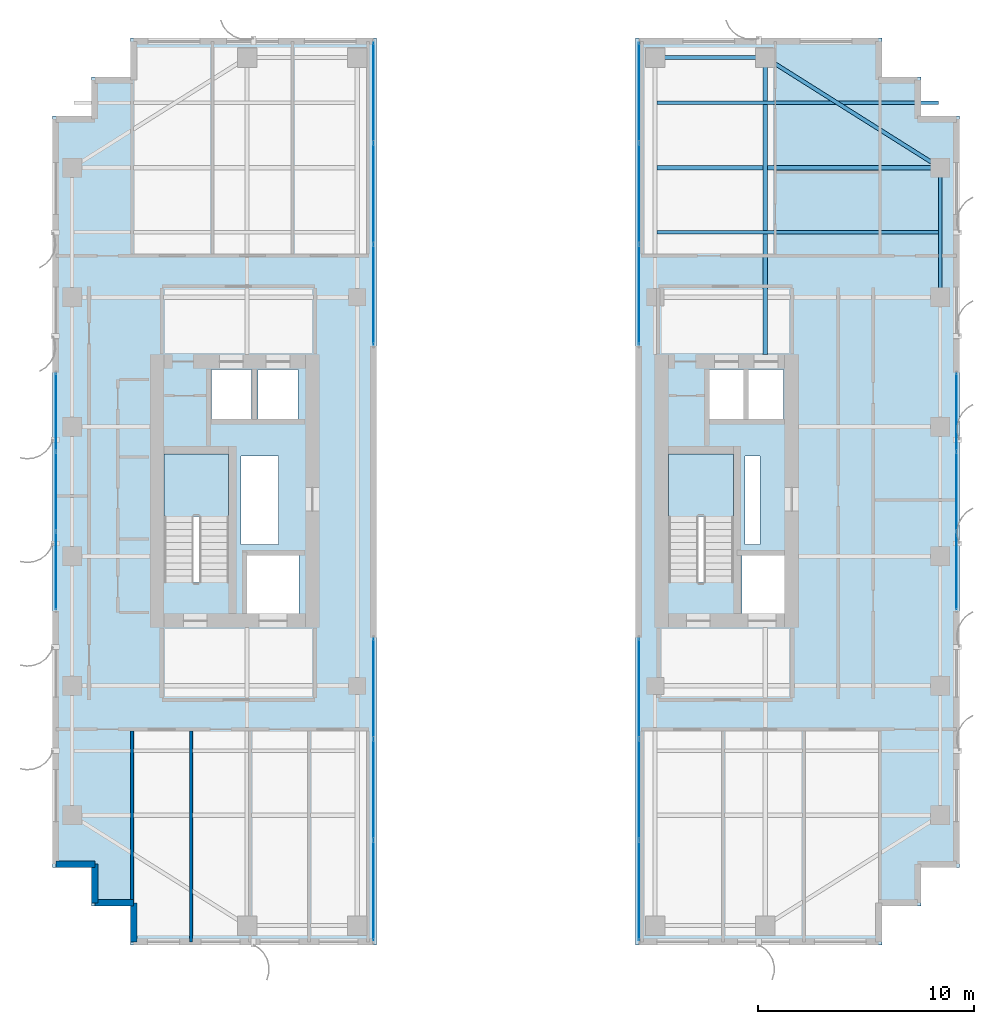
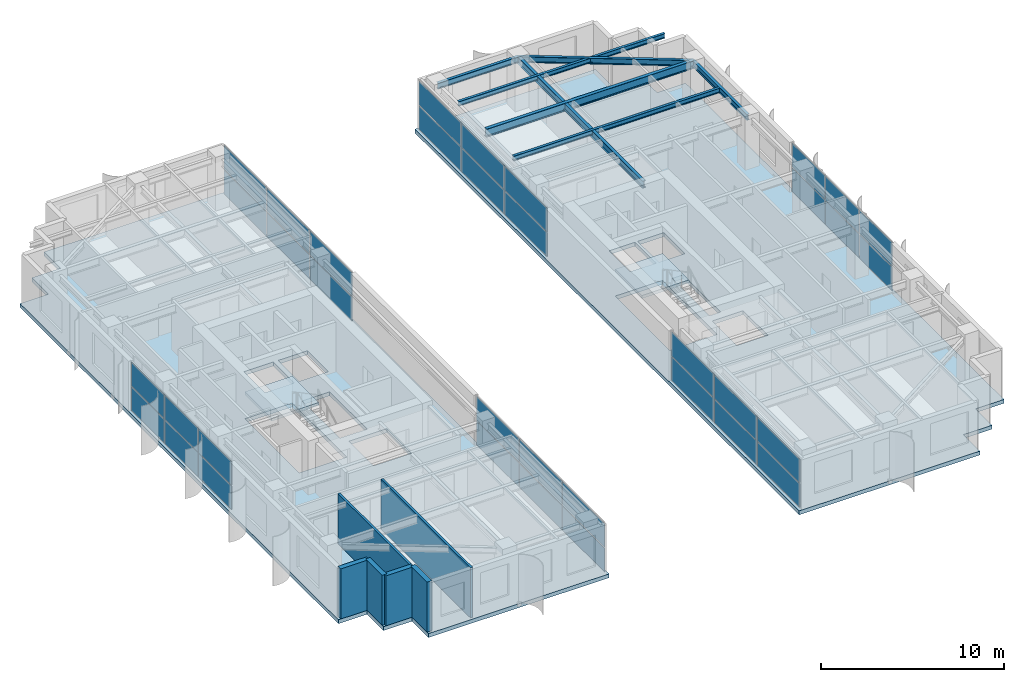
# One storey, part 15 of 22: 36 plates, 7 beams, 6 walls, 4 slabs, 8 elements without a shape of their own.
"""IFC4 building model written with IfcOpenShell, lengths in metres."""

from ifc_helpers import new_model, si_unit, direction, frame, frame_2d, origin, origin_2d, place, context, subcontext, project, spatial, polyline, rectangle, i_section, outline, extrude, source, transform, mapped, material, layer, layer_set, material_profile, profile_set, type_object, element, aggregate, save


model = new_model("IFC4")

# Units and contexts
model_context = context("Model", 3, precision=1e-05, world=origin(), true_north=direction((0.0, 1.0)))
body_context = subcontext(model_context, "Body", "Model", "MODEL_VIEW")
ifc_project = project(units=[si_unit("LENGTHUNIT", "METRE"), si_unit("AREAUNIT", "SQUARE_METRE"), si_unit("VOLUMEUNIT", "CUBIC_METRE"), si_unit("PLANEANGLEUNIT", "RADIAN"), si_unit("MASSUNIT", "GRAM", prefix="KILO")], contexts=[model_context])

# Site, building, storey
site_placement = place(None, origin())
site = spatial("IfcSite", under=ifc_project, at=site_placement, CompositionType="ELEMENT")
building_placement = place(site_placement, origin())
building = spatial("IfcBuilding", under=site, at=building_placement, Name="Khoralis Quay Care Tower", CompositionType="ELEMENT")
storey_placement = place(building_placement, frame((0.0, 0.0, 188.10009765625)))
storey = spatial("IfcBuildingStorey", under=building, at=storey_placement, Name="L49", CompositionType="ELEMENT", Elevation=188.10009765625)

# Beams
ifc_material_1 = material(Name="Steel S355", Category="steel")
ifc_material_profile_1 = material_profile(ifc_material_1, i_section(OverallWidth=0.179931640625, OverallDepth=0.39990234375, WebThickness=0.008544921875, FlangeThickness=0.013427734375, FilletRadius=0.02099609375, at=origin_2d()), Name="Steel S355")
ifc_profile_set_1 = profile_set([ifc_material_profile_1], Name="Steel S355")
beam_type_1 = type_object("IfcBeamType", Name="BM-IPE400", PredefinedType="SPANDREL", material=ifc_profile_set_1)
shared_shape_1 = source(origin(), body_context, "Body", "SweptSolid", [
    extrude(i_section(OverallWidth=0.179931640625, OverallDepth=0.39990234375, WebThickness=0.008544921875, FlangeThickness=0.013427734375, FilletRadius=0.02099609375, at=origin_2d()), origin(), (0.0, 0.0, 1.0), 6.0),
])
beam_1_placement = place(storey_placement, frame((44.10009765625, 30.0, 3.139892578125), z_axis=(0.0, 1.0, 0.0), x_axis=(-1.0, 0.0, 0.0)))
element("IfcBeam", 1, at=beam_1_placement, inside=storey, type_object=beam_type_1, Name="BM-TSP-L49-14", PredefinedType="SPANDREL", context=body_context, shape_type="MappedRepresentation", body=[
    mapped(shared_shape_1, transform((0.0, 0.0, 0.0), scale=1.0)),
])
shared_shape_2 = source(origin(), body_context, "Body", "SweptSolid", [
    extrude(i_section(OverallWidth=0.179931640625, OverallDepth=0.39990234375, WebThickness=0.008544921875, FlangeThickness=0.013427734375, FilletRadius=0.02099609375, at=origin_2d()), origin(), (0.0, 0.0, 1.0), 5.10009765625),
])
beam_2_placement = place(storey_placement, frame((30.89990234375, 41.10009765625, 3.139892578125), z_axis=(1.0, 0.0, 0.0), x_axis=(0.0, 1.0, 0.0)))
element("IfcBeam", 2, at=beam_2_placement, inside=storey, type_object=beam_type_1, Name="BM-TSP-L49-04", PredefinedType="SPANDREL", context=body_context, shape_type="MappedRepresentation", body=[
    mapped(shared_shape_2, transform((0.0, 0.0, 0.0), scale=1.0)),
])
shared_shape_3 = source(origin(), body_context, "Body", "SweptSolid", [
    extrude(i_section(OverallWidth=0.179931640625, OverallDepth=0.39990234375, WebThickness=0.008544921875, FlangeThickness=0.013427734375, FilletRadius=0.02099609375, at=origin_2d()), origin(), (0.0, 0.0, 1.0), 9.572021484375),
])
beam_3_placement = place(storey_placement, frame((36.0, 41.10009765625, 3.139892578125), z_axis=(0.846231136359, -0.532815975602, 0.0), x_axis=(0.532815975602, 0.846231136359, 0.0)))
element("IfcBeam", 3, at=beam_3_placement, inside=storey, type_object=beam_type_1, Name="BM-TCR-L49-18", PredefinedType="SPANDREL", context=body_context, shape_type="MappedRepresentation", body=[
    mapped(shared_shape_3, transform((0.0, 0.0, 0.0), scale=1.0)),
])
ifc_material_profile_2 = material_profile(ifc_material_1, i_section(OverallWidth=0.208984375, OverallDepth=0.532958984375, WebThickness=0.01025390625, FlangeThickness=0.015625, FilletRadius=0.01611328125, at=origin_2d()), Name="Steel S355")
ifc_profile_set_2 = profile_set([ifc_material_profile_2], Name="Steel S355")
beam_type_2 = type_object("IfcBeamType", Name="BM-W530X92", PredefinedType="BEAM", material=ifc_profile_set_2)
shared_shape_4 = source(origin(), body_context, "Body", "SweptSolid", [
    extrude(i_section(OverallWidth=0.208984375, OverallDepth=0.532958984375, WebThickness=0.01025390625, FlangeThickness=0.015625, FilletRadius=0.01611328125, at=origin_2d()), origin(), (0.0, 0.0, 1.0), 13.1162109375),
])
beam_4_placement = place(storey_placement, frame((30.98388671875, 36.0, 3.073486328125), z_axis=(1.0, 0.0, 0.0), x_axis=(0.0, 1.0, 0.0)))
element("IfcBeam", 4, at=beam_4_placement, inside=storey, type_object=beam_type_2, Name="BM-TGXE-L49-360", PredefinedType="BEAM", context=body_context, shape_type="MappedRepresentation", body=[
    mapped(shared_shape_4, transform((0.0, 0.0, 0.0), scale=1.0)),
])
ifc_material_profile_3 = material_profile(ifc_material_1, i_section(OverallWidth=0.19189453125, OverallDepth=0.462890625, WebThickness=0.010498046875, FlangeThickness=0.017578125, FilletRadius=0.014892578125, at=origin_2d()), Name="Steel S355")
ifc_profile_set_3 = profile_set([ifc_material_profile_3], Name="Steel S355")
beam_type_3 = type_object("IfcBeamType", Name="BM-W460X89", PredefinedType="BEAM", material=ifc_profile_set_3)
shared_shape_5 = source(origin(), body_context, "Body", "SweptSolid", [
    extrude(i_section(OverallWidth=0.19189453125, OverallDepth=0.462890625, WebThickness=0.010498046875, FlangeThickness=0.017578125, FilletRadius=0.014892578125, at=origin_2d()), origin(), (0.0, 0.0, 1.0), 13.752197265625),
])
beam_5_placement = place(storey_placement, frame((36.0, 27.347900390625, 3.1083984375), z_axis=(0.0, 1.0, 0.0), x_axis=(-1.0, 0.0, 0.0)))
element("IfcBeam", 5, at=beam_5_placement, inside=storey, type_object=beam_type_3, Name="BM-TGYN-L49-360", PredefinedType="BEAM", context=body_context, shape_type="MappedRepresentation", body=[
    mapped(shared_shape_5, transform((0.0, 0.0, 0.0), scale=1.0)),
])
ifc_material_profile_4 = material_profile(ifc_material_1, i_section(OverallWidth=0.1650390625, OverallDepth=0.31005859375, WebThickness=0.005859375, FlangeThickness=0.009765625, FilletRadius=0.011962890625, at=origin_2d()), Name="Steel S355")
ifc_profile_set_4 = profile_set([ifc_material_profile_4], Name="Steel S355")
beam_type_4 = type_object("IfcBeamType", Name="BM-W310X39", PredefinedType="JOIST", material=ifc_profile_set_4)
shared_shape_6 = source(origin(), body_context, "Body", "SweptSolid", [
    extrude(i_section(OverallWidth=0.1650390625, OverallDepth=0.31005859375, WebThickness=0.005859375, FlangeThickness=0.009765625, FilletRadius=0.011962890625, at=origin_2d()), origin(), (0.0, 0.0, 1.0), 13.0400390625),
])
for number, where, z_axis, x_axis, name in (
    (6, (30.98388671875, 33.0, 3.184814453125), (1.0, 0.0, 0.0), (0.0, 1.0, 0.0), "BM-TJS-L49-22"),
    (7, (30.98388671875, 39.0, 3.184814453125), (1.0, 0.0, 0.0), (0.0, 1.0, 0.0), "BM-TJS-L49-24"),
):
    element("IfcBeam", number, at=place(storey_placement, frame(where, z_axis=z_axis, x_axis=x_axis)), inside=storey, type_object=beam_type_4, Name=name, PredefinedType="JOIST", context=body_context, shape_type="MappedRepresentation", body=[
        mapped(shared_shape_6, transform((0.0, 0.0, 0.0), scale=1.0)),
    ])

# Stair, slab
ifc_material_2 = material(Name="Precast concrete C45/55", Category="concrete")
stair_type = type_object("IfcStairType", Name="ST-TWR-DOGLEG-1400", PredefinedType="HALF_TURN_STAIR", material=ifc_material_2)
stair_1_placement = place(storey_placement, origin())
stair_1 = element("IfcStair", 8, at=stair_1_placement, inside=storey, type_object=stair_type, Name="L49 West Core Exit Stair ST-T1", PredefinedType="HALF_TURN_STAIR")
ifc_layer_1 = layer(ifc_material_2, 0.199951171875)
ifc_layer_set_1 = layer_set([ifc_layer_1], Name="Precast concrete C45/55")
slab_type_1 = type_object("IfcSlabType", Name="SLB-LANDING-200", PredefinedType="LANDING", material=ifc_layer_set_1)
slab_1_placement = place(storey_placement, frame((0.0, 0.0, 1.599853515625)))
slab_1 = element("IfcSlab", 9, at=slab_1_placement, type_object=slab_type_1, Name="ST-T1 landing 1", PredefinedType="LANDING", context=body_context, shape_type="SweptSolid", body=[
    extrude(outline(polyline([(11.14990234375, 19.840087890625), (11.14990234375, 22.75), (8.14990234375, 22.75), (8.14990234375, 19.840087890625), (11.14990234375, 19.840087890625)])), origin(), (0.0, 0.0, 1.0), 0.199951171875),
])
aggregate(stair_1, [slab_1])

stair_2_placement = place(storey_placement, origin())
stair_2 = element("IfcStair", 10, at=stair_2_placement, inside=storey, type_object=stair_type, Name="L49 East Core Exit Stair ST-T2", PredefinedType="HALF_TURN_STAIR")
slab_2_placement = place(storey_placement, frame((0.0, 0.0, 1.599853515625)))
slab_2 = element("IfcSlab", 11, at=slab_2_placement, type_object=slab_type_1, Name="ST-T2 landing 1", PredefinedType="LANDING", context=body_context, shape_type="SweptSolid", body=[
    extrude(outline(polyline([(34.52001953125, 19.840087890625), (34.52001953125, 22.75), (31.52001953125, 22.75), (31.52001953125, 19.840087890625), (34.52001953125, 19.840087890625)])), origin(), (0.0, 0.0, 1.0), 0.199951171875),
])
aggregate(stair_2, [slab_2])

# Slabs
ifc_material_3 = material(Name="Concrete C40/50", Category="concrete")
ifc_layer_2 = layer(ifc_material_3, 0.260009765625)
ifc_layer_set_2 = layer_set([ifc_layer_2], Name="Concrete C40/50")
slab_type_2 = type_object("IfcSlabType", Name="SLB-TWR-260", PredefinedType="FLOOR", material=ifc_layer_set_2)
slab_3_placement = place(storey_placement, frame((0.0, 0.0, -0.260009765625)))
element("IfcSlab", 12, at=slab_3_placement, inside=storey, type_object=slab_type_2, Name="Tower Wing 1 Slab L49", PredefinedType="FLOOR", context=body_context, shape_type="SweptSolid", body=[
    extrude(outline(polyline([(6.60009765625, 0.0), (18.0, 0.0), (18.0, 42.0), (6.60009765625, 42.0), (6.60009765625, 40.199951171875), (4.800048828125, 40.199951171875), (4.800048828125, 38.39990234375), (3.0, 38.39990234375), (3.0, 3.60009765625), (4.800048828125, 3.60009765625), (4.800048828125, 1.800048828125), (6.60009765625, 1.800048828125), (6.60009765625, 0.0)]), holes=[polyline([(11.14990234375, 16.800048828125), (11.14990234375, 22.75), (8.14990234375, 22.75), (8.14990234375, 16.800048828125), (11.14990234375, 16.800048828125)]), polyline([(12.0, 15.35009765625), (14.39990234375, 15.35009765625), (14.39990234375, 18.050048828125), (12.0, 18.050048828125), (12.0, 15.35009765625)]), polyline([(10.35009765625, 24.35009765625), (12.199951171875, 24.35009765625), (12.199951171875, 26.64990234375), (10.35009765625, 26.64990234375), (10.35009765625, 24.35009765625)]), polyline([(12.5, 24.35009765625), (14.35009765625, 24.35009765625), (14.35009765625, 26.64990234375), (12.5, 26.64990234375), (12.5, 24.35009765625)]), polyline([(11.719970703125, 18.550048828125), (13.449951171875, 18.550048828125), (13.449951171875, 22.64990234375), (11.719970703125, 22.64990234375), (11.719970703125, 18.550048828125)])]), origin(), (0.0, 0.0, 1.0), 0.260009765625),
])
slab_4_placement = place(storey_placement, frame((0.0, 0.0, -0.260009765625)))
element("IfcSlab", 13, at=slab_4_placement, inside=storey, type_object=slab_type_2, Name="Tower Wing 2 Slab L49", PredefinedType="FLOOR", context=body_context, shape_type="SweptSolid", body=[
    extrude(outline(polyline([(30.0, 0.0), (41.39990234375, 0.0), (41.39990234375, 1.800048828125), (43.199951171875, 1.800048828125), (43.199951171875, 3.60009765625), (45.0, 3.60009765625), (45.0, 38.39990234375), (43.199951171875, 38.39990234375), (43.199951171875, 40.199951171875), (41.39990234375, 40.199951171875), (41.39990234375, 42.0), (30.0, 42.0), (30.0, 0.0)]), holes=[polyline([(34.52001953125, 16.800048828125), (34.52001953125, 22.75), (31.52001953125, 22.75), (31.52001953125, 16.800048828125), (34.52001953125, 16.800048828125)]), polyline([(34.919921875, 15.35009765625), (36.8798828125, 15.35009765625), (36.8798828125, 18.050048828125), (34.919921875, 18.050048828125), (34.919921875, 15.35009765625)]), polyline([(33.3798828125, 24.35009765625), (35.030029296875, 24.35009765625), (35.030029296875, 26.64990234375), (33.3798828125, 26.64990234375), (33.3798828125, 24.35009765625)]), polyline([(35.199951171875, 24.35009765625), (36.85009765625, 24.35009765625), (36.85009765625, 26.64990234375), (35.199951171875, 26.64990234375), (35.199951171875, 24.35009765625)]), polyline([(35.050048828125, 18.550048828125), (35.75, 18.550048828125), (35.75, 22.64990234375), (35.050048828125, 22.64990234375), (35.050048828125, 18.550048828125)])]), origin(), (0.0, 0.0, 1.0), 0.260009765625),
])

# Curtain wall, plates
ifc_material_4 = material(Name="Pale anodised aluminium", Category="aluminium")
ifc_layer_3 = layer(ifc_material_4, 0.159912109375)
ifc_layer_set_3 = layer_set([ifc_layer_3], Name="Pale anodised aluminium")
curtain_wall_type_1 = type_object("IfcCurtainWallType", Name="CW-SYS-Z3", PredefinedType="NOTDEFINED", material=ifc_layer_set_3)
curtain_wall_1_placement = place(storey_placement, origin())
curtain_wall_1 = element("IfcCurtainWall", 14, at=curtain_wall_1_placement, inside=storey, type_object=curtain_wall_type_1, Name="L49 Unitised Curtain Wall CW-L49-P1-E7", PredefinedType="NOTDEFINED")
ifc_material_5 = material(Name="Low-E solar-control double glazing", Category="glass")
ifc_layer_4 = layer(ifc_material_5, 0.031982421875)
ifc_layer_set_4 = layer_set([ifc_layer_4], Name="Low-E solar-control double glazing")
plate_type = type_object("IfcPlateType", Name="PNL-VIS-32", PredefinedType="CURTAIN_PANEL", material=ifc_layer_set_4)
shared_shape_7 = source(origin(), body_context, "Body", "SweptSolid", [
    extrude(rectangle(XDim=3.590087890625, YDim=0.028076171875, at=origin_2d()), origin(), (0.0, 0.0, 1.0), 1.580078125),
])
plate_1_placement = place(storey_placement, frame((3.14990234375, 24.6650390625, 0.059814453125), z_axis=(0.0, 0.0, 1.0), x_axis=(0.0, -1.0, 0.0)))
plate_1 = element("IfcPlate", 15, at=plate_1_placement, type_object=plate_type, Name="CW3 panel 1.1", PredefinedType="CURTAIN_PANEL", context=body_context, shape_type="MappedRepresentation", body=[
    mapped(shared_shape_7, transform((0.0, 0.0, 0.0), scale=1.0)),
])
plate_2_placement = place(storey_placement, frame((3.14990234375, 24.6650390625, 1.699951171875), z_axis=(0.0, 0.0, 1.0), x_axis=(0.0, -1.0, 0.0)))
plate_2 = element("IfcPlate", 16, at=plate_2_placement, type_object=plate_type, Name="CW3 panel 1.2", PredefinedType="CURTAIN_PANEL", context=body_context, shape_type="MappedRepresentation", body=[
    mapped(shared_shape_7, transform((0.0, 0.0, 0.0), scale=1.0)),
])
plate_3_placement = place(storey_placement, frame((3.14990234375, 17.3349609375, 0.059814453125), z_axis=(0.0, 0.0, 1.0), x_axis=(0.0, -1.0, 0.0)))
plate_3 = element("IfcPlate", 17, at=plate_3_placement, type_object=plate_type, Name="CW3 panel 3.1", PredefinedType="CURTAIN_PANEL", context=body_context, shape_type="MappedRepresentation", body=[
    mapped(shared_shape_7, transform((0.0, 0.0, 0.0), scale=1.0)),
])
plate_4_placement = place(storey_placement, frame((3.14990234375, 17.3349609375, 1.699951171875), z_axis=(0.0, 0.0, 1.0), x_axis=(0.0, -1.0, 0.0)))
plate_4 = element("IfcPlate", 18, at=plate_4_placement, type_object=plate_type, Name="CW3 panel 3.2", PredefinedType="CURTAIN_PANEL", context=body_context, shape_type="MappedRepresentation", body=[
    mapped(shared_shape_7, transform((0.0, 0.0, 0.0), scale=1.0)),
])

curtain_wall_2_placement = place(storey_placement, origin())
curtain_wall_2 = element("IfcCurtainWall", 19, at=curtain_wall_2_placement, inside=storey, type_object=curtain_wall_type_1, Name="L49 Unitised Curtain Wall CW-L49-P2-E5", PredefinedType="NOTDEFINED")
plate_5_placement = place(storey_placement, frame((44.85009765625, 17.3349609375, 0.059814453125), z_axis=(0.0, 0.0, 1.0), x_axis=(0.0, 1.0, 0.0)))
plate_5 = element("IfcPlate", 20, at=plate_5_placement, type_object=plate_type, Name="CW3 panel 1.1", PredefinedType="CURTAIN_PANEL", context=body_context, shape_type="MappedRepresentation", body=[
    mapped(shared_shape_7, transform((0.0, 0.0, 0.0), scale=1.0)),
])
plate_6_placement = place(storey_placement, frame((44.85009765625, 17.3349609375, 1.699951171875), z_axis=(0.0, 0.0, 1.0), x_axis=(0.0, 1.0, 0.0)))
plate_6 = element("IfcPlate", 21, at=plate_6_placement, type_object=plate_type, Name="CW3 panel 1.2", PredefinedType="CURTAIN_PANEL", context=body_context, shape_type="MappedRepresentation", body=[
    mapped(shared_shape_7, transform((0.0, 0.0, 0.0), scale=1.0)),
])
plate_7_placement = place(storey_placement, frame((44.85009765625, 24.6650390625, 0.059814453125), z_axis=(0.0, 0.0, 1.0), x_axis=(0.0, 1.0, 0.0)))
plate_7 = element("IfcPlate", 22, at=plate_7_placement, type_object=plate_type, Name="CW3 panel 3.1", PredefinedType="CURTAIN_PANEL", context=body_context, shape_type="MappedRepresentation", body=[
    mapped(shared_shape_7, transform((0.0, 0.0, 0.0), scale=1.0)),
])
plate_8_placement = place(storey_placement, frame((44.85009765625, 24.6650390625, 1.699951171875), z_axis=(0.0, 0.0, 1.0), x_axis=(0.0, 1.0, 0.0)))
plate_8 = element("IfcPlate", 23, at=plate_8_placement, type_object=plate_type, Name="CW3 panel 3.2", PredefinedType="CURTAIN_PANEL", context=body_context, shape_type="MappedRepresentation", body=[
    mapped(shared_shape_7, transform((0.0, 0.0, 0.0), scale=1.0)),
])

# Plate
shared_shape_8 = source(origin(), body_context, "Body", "SweptSolid", [
    extrude(rectangle(XDim=3.6201171875, YDim=0.028076171875, at=origin_2d()), origin(), (0.0, 0.0, 1.0), 1.580078125),
])
plate_9_placement = place(storey_placement, frame((3.14990234375, 21.0, 0.059814453125), z_axis=(0.0, 0.0, 1.0), x_axis=(0.0, -1.0, 0.0)))
plate_9 = element("IfcPlate", 24, at=plate_9_placement, type_object=plate_type, Name="CW3 panel 2.1", PredefinedType="CURTAIN_PANEL", context=body_context, shape_type="MappedRepresentation", body=[
    mapped(shared_shape_8, transform((0.0, 0.0, 0.0), scale=1.0)),
])

plate_10_placement = place(storey_placement, frame((3.14990234375, 21.0, 1.699951171875), z_axis=(0.0, 0.0, 1.0), x_axis=(0.0, -1.0, 0.0)))
plate_10 = element("IfcPlate", 25, at=plate_10_placement, type_object=plate_type, Name="CW3 panel 2.2", PredefinedType="CURTAIN_PANEL", context=body_context, shape_type="MappedRepresentation", body=[
    mapped(shared_shape_8, transform((0.0, 0.0, 0.0), scale=1.0)),
])

aggregate(curtain_wall_1, [plate_1, plate_2, plate_9, plate_10, plate_3, plate_4])

plate_11_placement = place(storey_placement, frame((44.85009765625, 21.0, 0.059814453125), z_axis=(0.0, 0.0, 1.0), x_axis=(0.0, 1.0, 0.0)))
plate_11 = element("IfcPlate", 26, at=plate_11_placement, type_object=plate_type, Name="CW3 panel 2.1", PredefinedType="CURTAIN_PANEL", context=body_context, shape_type="MappedRepresentation", body=[
    mapped(shared_shape_8, transform((0.0, 0.0, 0.0), scale=1.0)),
])

plate_12_placement = place(storey_placement, frame((44.85009765625, 21.0, 1.699951171875), z_axis=(0.0, 0.0, 1.0), x_axis=(0.0, 1.0, 0.0)))
plate_12 = element("IfcPlate", 27, at=plate_12_placement, type_object=plate_type, Name="CW3 panel 2.2", PredefinedType="CURTAIN_PANEL", context=body_context, shape_type="MappedRepresentation", body=[
    mapped(shared_shape_8, transform((0.0, 0.0, 0.0), scale=1.0)),
])

aggregate(curtain_wall_2, [plate_5, plate_6, plate_11, plate_12, plate_7, plate_8])

# Curtain wall, plates
ifc_layer_5 = layer(ifc_material_4, 0.18994140625)
ifc_layer_set_5 = layer_set([ifc_layer_5], Name="Pale anodised aluminium")
curtain_wall_type_2 = type_object("IfcCurtainWallType", Name="CW-SYS-PORTAL", PredefinedType="NOTDEFINED", material=ifc_layer_set_5)
curtain_wall_3_placement = place(storey_placement, origin())
curtain_wall_3 = element("IfcCurtainWall", 28, at=curtain_wall_3_placement, inside=storey, type_object=curtain_wall_type_2, Name="L49 Unitised Curtain Wall CW-VP-L49-P1-S", PredefinedType="NOTDEFINED")
shared_shape_9 = source(origin(), body_context, "Body", "SweptSolid", [
    extrude(rectangle(XDim=4.610107421875, YDim=0.028076171875, at=origin_2d()), origin(), (0.0, 0.0, 1.0), 1.580078125),
])
plate_13_placement = place(storey_placement, frame((17.85009765625, 2.514892578125, 0.059814453125), z_axis=(0.0, 0.0, 1.0), x_axis=(0.0, 1.0, 0.0)))
plate_13 = element("IfcPlate", 29, at=plate_13_placement, type_object=plate_type, Name="CW4 panel 1.1", PredefinedType="CURTAIN_PANEL", context=body_context, shape_type="MappedRepresentation", body=[
    mapped(shared_shape_9, transform((0.0, 0.0, 0.0), scale=1.0)),
])
plate_14_placement = place(storey_placement, frame((17.85009765625, 2.514892578125, 1.699951171875), z_axis=(0.0, 0.0, 1.0), x_axis=(0.0, 1.0, 0.0)))
plate_14 = element("IfcPlate", 30, at=plate_14_placement, type_object=plate_type, Name="CW4 panel 1.2", PredefinedType="CURTAIN_PANEL", context=body_context, shape_type="MappedRepresentation", body=[
    mapped(shared_shape_9, transform((0.0, 0.0, 0.0), scale=1.0)),
])
plate_15_placement = place(storey_placement, frame((17.85009765625, 11.885009765625, 0.059814453125), z_axis=(0.0, 0.0, 1.0), x_axis=(0.0, 1.0, 0.0)))
plate_15 = element("IfcPlate", 31, at=plate_15_placement, type_object=plate_type, Name="CW4 panel 3.1", PredefinedType="CURTAIN_PANEL", context=body_context, shape_type="MappedRepresentation", body=[
    mapped(shared_shape_9, transform((0.0, 0.0, 0.0), scale=1.0)),
])
plate_16_placement = place(storey_placement, frame((17.85009765625, 11.885009765625, 1.699951171875), z_axis=(0.0, 0.0, 1.0), x_axis=(0.0, 1.0, 0.0)))
plate_16 = element("IfcPlate", 32, at=plate_16_placement, type_object=plate_type, Name="CW4 panel 3.2", PredefinedType="CURTAIN_PANEL", context=body_context, shape_type="MappedRepresentation", body=[
    mapped(shared_shape_9, transform((0.0, 0.0, 0.0), scale=1.0)),
])

curtain_wall_4_placement = place(storey_placement, origin())
curtain_wall_4 = element("IfcCurtainWall", 33, at=curtain_wall_4_placement, inside=storey, type_object=curtain_wall_type_2, Name="L49 Unitised Curtain Wall CW-VP-L49-P1-N", PredefinedType="NOTDEFINED")
plate_17_placement = place(storey_placement, frame((17.85009765625, 30.114990234375, 0.059814453125), z_axis=(0.0, 0.0, 1.0), x_axis=(0.0, 1.0, 0.0)))
plate_17 = element("IfcPlate", 34, at=plate_17_placement, type_object=plate_type, Name="CW4 panel 1.1", PredefinedType="CURTAIN_PANEL", context=body_context, shape_type="MappedRepresentation", body=[
    mapped(shared_shape_9, transform((0.0, 0.0, 0.0), scale=1.0)),
])
plate_18_placement = place(storey_placement, frame((17.85009765625, 30.114990234375, 1.699951171875), z_axis=(0.0, 0.0, 1.0), x_axis=(0.0, 1.0, 0.0)))
plate_18 = element("IfcPlate", 35, at=plate_18_placement, type_object=plate_type, Name="CW4 panel 1.2", PredefinedType="CURTAIN_PANEL", context=body_context, shape_type="MappedRepresentation", body=[
    mapped(shared_shape_9, transform((0.0, 0.0, 0.0), scale=1.0)),
])
plate_19_placement = place(storey_placement, frame((17.85009765625, 39.485107421875, 0.059814453125), z_axis=(0.0, 0.0, 1.0), x_axis=(0.0, 1.0, 0.0)))
plate_19 = element("IfcPlate", 36, at=plate_19_placement, type_object=plate_type, Name="CW4 panel 3.1", PredefinedType="CURTAIN_PANEL", context=body_context, shape_type="MappedRepresentation", body=[
    mapped(shared_shape_9, transform((0.0, 0.0, 0.0), scale=1.0)),
])
plate_20_placement = place(storey_placement, frame((17.85009765625, 39.485107421875, 1.699951171875), z_axis=(0.0, 0.0, 1.0), x_axis=(0.0, 1.0, 0.0)))
plate_20 = element("IfcPlate", 37, at=plate_20_placement, type_object=plate_type, Name="CW4 panel 3.2", PredefinedType="CURTAIN_PANEL", context=body_context, shape_type="MappedRepresentation", body=[
    mapped(shared_shape_9, transform((0.0, 0.0, 0.0), scale=1.0)),
])

curtain_wall_5_placement = place(storey_placement, origin())
curtain_wall_5 = element("IfcCurtainWall", 38, at=curtain_wall_5_placement, inside=storey, type_object=curtain_wall_type_2, Name="L49 Unitised Curtain Wall CW-VP-L49-P2-S", PredefinedType="NOTDEFINED")
plate_21_placement = place(storey_placement, frame((30.14990234375, 2.514892578125, 0.059814453125), z_axis=(0.0, 0.0, 1.0), x_axis=(0.0, 1.0, 0.0)))
plate_21 = element("IfcPlate", 39, at=plate_21_placement, type_object=plate_type, Name="CW4 panel 1.1", PredefinedType="CURTAIN_PANEL", context=body_context, shape_type="MappedRepresentation", body=[
    mapped(shared_shape_9, transform((0.0, 0.0, 0.0), scale=1.0)),
])
plate_22_placement = place(storey_placement, frame((30.14990234375, 2.514892578125, 1.699951171875), z_axis=(0.0, 0.0, 1.0), x_axis=(0.0, 1.0, 0.0)))
plate_22 = element("IfcPlate", 40, at=plate_22_placement, type_object=plate_type, Name="CW4 panel 1.2", PredefinedType="CURTAIN_PANEL", context=body_context, shape_type="MappedRepresentation", body=[
    mapped(shared_shape_9, transform((0.0, 0.0, 0.0), scale=1.0)),
])
plate_23_placement = place(storey_placement, frame((30.14990234375, 11.885009765625, 0.059814453125), z_axis=(0.0, 0.0, 1.0), x_axis=(0.0, 1.0, 0.0)))
plate_23 = element("IfcPlate", 41, at=plate_23_placement, type_object=plate_type, Name="CW4 panel 3.1", PredefinedType="CURTAIN_PANEL", context=body_context, shape_type="MappedRepresentation", body=[
    mapped(shared_shape_9, transform((0.0, 0.0, 0.0), scale=1.0)),
])
plate_24_placement = place(storey_placement, frame((30.14990234375, 11.885009765625, 1.699951171875), z_axis=(0.0, 0.0, 1.0), x_axis=(0.0, 1.0, 0.0)))
plate_24 = element("IfcPlate", 42, at=plate_24_placement, type_object=plate_type, Name="CW4 panel 3.2", PredefinedType="CURTAIN_PANEL", context=body_context, shape_type="MappedRepresentation", body=[
    mapped(shared_shape_9, transform((0.0, 0.0, 0.0), scale=1.0)),
])

curtain_wall_6_placement = place(storey_placement, origin())
curtain_wall_6 = element("IfcCurtainWall", 43, at=curtain_wall_6_placement, inside=storey, type_object=curtain_wall_type_2, Name="L49 Unitised Curtain Wall CW-VP-L49-P2-N", PredefinedType="NOTDEFINED")
plate_25_placement = place(storey_placement, frame((30.14990234375, 30.114990234375, 0.059814453125), z_axis=(0.0, 0.0, 1.0), x_axis=(0.0, 1.0, 0.0)))
plate_25 = element("IfcPlate", 44, at=plate_25_placement, type_object=plate_type, Name="CW4 panel 1.1", PredefinedType="CURTAIN_PANEL", context=body_context, shape_type="MappedRepresentation", body=[
    mapped(shared_shape_9, transform((0.0, 0.0, 0.0), scale=1.0)),
])
plate_26_placement = place(storey_placement, frame((30.14990234375, 30.114990234375, 1.699951171875), z_axis=(0.0, 0.0, 1.0), x_axis=(0.0, 1.0, 0.0)))
plate_26 = element("IfcPlate", 45, at=plate_26_placement, type_object=plate_type, Name="CW4 panel 1.2", PredefinedType="CURTAIN_PANEL", context=body_context, shape_type="MappedRepresentation", body=[
    mapped(shared_shape_9, transform((0.0, 0.0, 0.0), scale=1.0)),
])
plate_27_placement = place(storey_placement, frame((30.14990234375, 39.485107421875, 0.059814453125), z_axis=(0.0, 0.0, 1.0), x_axis=(0.0, 1.0, 0.0)))
plate_27 = element("IfcPlate", 46, at=plate_27_placement, type_object=plate_type, Name="CW4 panel 3.1", PredefinedType="CURTAIN_PANEL", context=body_context, shape_type="MappedRepresentation", body=[
    mapped(shared_shape_9, transform((0.0, 0.0, 0.0), scale=1.0)),
])
plate_28_placement = place(storey_placement, frame((30.14990234375, 39.485107421875, 1.699951171875), z_axis=(0.0, 0.0, 1.0), x_axis=(0.0, 1.0, 0.0)))
plate_28 = element("IfcPlate", 47, at=plate_28_placement, type_object=plate_type, Name="CW4 panel 3.2", PredefinedType="CURTAIN_PANEL", context=body_context, shape_type="MappedRepresentation", body=[
    mapped(shared_shape_9, transform((0.0, 0.0, 0.0), scale=1.0)),
])

# Plate
shared_shape_10 = source(origin(), body_context, "Body", "SweptSolid", [
    extrude(rectangle(XDim=4.639892578125, YDim=0.028076171875, at=origin_2d()), origin(), (0.0, 0.0, 1.0), 1.580078125),
])
plate_29_placement = place(storey_placement, frame((17.85009765625, 7.199951171875, 0.059814453125), z_axis=(0.0, 0.0, 1.0), x_axis=(0.0, 1.0, 0.0)))
plate_29 = element("IfcPlate", 48, at=plate_29_placement, type_object=plate_type, Name="CW4 panel 2.1", PredefinedType="CURTAIN_PANEL", context=body_context, shape_type="MappedRepresentation", body=[
    mapped(shared_shape_10, transform((0.0, 0.0, 0.0), scale=1.0)),
])

plate_30_placement = place(storey_placement, frame((17.85009765625, 7.199951171875, 1.699951171875), z_axis=(0.0, 0.0, 1.0), x_axis=(0.0, 1.0, 0.0)))
plate_30 = element("IfcPlate", 49, at=plate_30_placement, type_object=plate_type, Name="CW4 panel 2.2", PredefinedType="CURTAIN_PANEL", context=body_context, shape_type="MappedRepresentation", body=[
    mapped(shared_shape_10, transform((0.0, 0.0, 0.0), scale=1.0)),
])

aggregate(curtain_wall_3, [plate_13, plate_14, plate_29, plate_30, plate_15, plate_16])

plate_31_placement = place(storey_placement, frame((17.85009765625, 34.800048828125, 0.059814453125), z_axis=(0.0, 0.0, 1.0), x_axis=(0.0, 1.0, 0.0)))
plate_31 = element("IfcPlate", 50, at=plate_31_placement, type_object=plate_type, Name="CW4 panel 2.1", PredefinedType="CURTAIN_PANEL", context=body_context, shape_type="MappedRepresentation", body=[
    mapped(shared_shape_10, transform((0.0, 0.0, 0.0), scale=1.0)),
])

plate_32_placement = place(storey_placement, frame((17.85009765625, 34.800048828125, 1.699951171875), z_axis=(0.0, 0.0, 1.0), x_axis=(0.0, 1.0, 0.0)))
plate_32 = element("IfcPlate", 51, at=plate_32_placement, type_object=plate_type, Name="CW4 panel 2.2", PredefinedType="CURTAIN_PANEL", context=body_context, shape_type="MappedRepresentation", body=[
    mapped(shared_shape_10, transform((0.0, 0.0, 0.0), scale=1.0)),
])

aggregate(curtain_wall_4, [plate_17, plate_18, plate_31, plate_32, plate_19, plate_20])

plate_33_placement = place(storey_placement, frame((30.14990234375, 7.199951171875, 0.059814453125), z_axis=(0.0, 0.0, 1.0), x_axis=(0.0, 1.0, 0.0)))
plate_33 = element("IfcPlate", 52, at=plate_33_placement, type_object=plate_type, Name="CW4 panel 2.1", PredefinedType="CURTAIN_PANEL", context=body_context, shape_type="MappedRepresentation", body=[
    mapped(shared_shape_10, transform((0.0, 0.0, 0.0), scale=1.0)),
])

plate_34_placement = place(storey_placement, frame((30.14990234375, 7.199951171875, 1.699951171875), z_axis=(0.0, 0.0, 1.0), x_axis=(0.0, 1.0, 0.0)))
plate_34 = element("IfcPlate", 53, at=plate_34_placement, type_object=plate_type, Name="CW4 panel 2.2", PredefinedType="CURTAIN_PANEL", context=body_context, shape_type="MappedRepresentation", body=[
    mapped(shared_shape_10, transform((0.0, 0.0, 0.0), scale=1.0)),
])

aggregate(curtain_wall_5, [plate_21, plate_22, plate_33, plate_34, plate_23, plate_24])

plate_35_placement = place(storey_placement, frame((30.14990234375, 34.800048828125, 0.059814453125), z_axis=(0.0, 0.0, 1.0), x_axis=(0.0, 1.0, 0.0)))
plate_35 = element("IfcPlate", 54, at=plate_35_placement, type_object=plate_type, Name="CW4 panel 2.1", PredefinedType="CURTAIN_PANEL", context=body_context, shape_type="MappedRepresentation", body=[
    mapped(shared_shape_10, transform((0.0, 0.0, 0.0), scale=1.0)),
])

plate_36_placement = place(storey_placement, frame((30.14990234375, 34.800048828125, 1.699951171875), z_axis=(0.0, 0.0, 1.0), x_axis=(0.0, 1.0, 0.0)))
plate_36 = element("IfcPlate", 55, at=plate_36_placement, type_object=plate_type, Name="CW4 panel 2.2", PredefinedType="CURTAIN_PANEL", context=body_context, shape_type="MappedRepresentation", body=[
    mapped(shared_shape_10, transform((0.0, 0.0, 0.0), scale=1.0)),
])

aggregate(curtain_wall_6, [plate_25, plate_26, plate_35, plate_36, plate_27, plate_28])

# Walls
ifc_layer_6 = layer(ifc_material_2, 0.300048828125)
ifc_layer_set_6 = layer_set([ifc_layer_6], Name="Precast concrete C45/55")
wall_type_1 = type_object("IfcWallType", Name="WL-EXT-REF-300", PredefinedType="SOLIDWALL", material=ifc_layer_set_6)
for number, where, z_axis, x_axis, name in (
    (56, (3.14990234375, 3.75, 0.0), (0.0, 0.0, 1.0), (1.0, 0.0, 0.0), "L49 External Facade Wall WL-EXT-L49-P1-C8"),
    (57, (4.949951171875, 3.75, 0.0), (0.0, 0.0, 1.0), (0.0, -1.0, 0.0), "L49 External Facade Wall WL-EXT-L49-P1-C9"),
    (58, (4.949951171875, 1.949951171875, 0.0), (0.0, 0.0, 1.0), (1.0, 0.0, 0.0), "L49 External Facade Wall WL-EXT-L49-P1-C10"),
    (59, (6.75, 1.949951171875, 0.0), (0.0, 0.0, 1.0), (0.0, -1.0, 0.0), "L49 External Facade Wall WL-EXT-L49-P1-C11"),
):
    element("IfcWall", number, at=place(storey_placement, frame(where, z_axis=z_axis, x_axis=x_axis)), inside=storey, type_object=wall_type_1, Name=name, PredefinedType="SOLIDWALL", context=body_context, shape_type="SweptSolid", body=[
        extrude(rectangle(XDim=1.800048828125, YDim=0.300048828125, at=frame_2d((0.89990234375, 0.0))), origin(), (0.0, 0.0, 1.0), 3.33984375),
    ])
ifc_material_6 = material(Name="Gypsum plasterboard on acoustic metal stud")
ifc_layer_7 = layer(ifc_material_6, 0.139892578125)
ifc_layer_set_7 = layer_set([ifc_layer_7], Name="Gypsum plasterboard on acoustic metal stud")
wall_type_2 = type_object("IfcWallType", Name="WL-UNIT-140", PredefinedType="PARTITIONING", material=ifc_layer_set_7)
wall_1_placement = place(storey_placement, frame((6.679931640625, 1.945068359375, 0.0), z_axis=(0.0, 0.0, 1.0), x_axis=(0.0, 1.0, 0.0)))
element("IfcWall", 60, at=wall_1_placement, inside=storey, type_object=wall_type_2, Name="L49 WS Demising Wall 0", PredefinedType="PARTITIONING", context=body_context, shape_type="SweptSolid", body=[
    extrude(rectangle(XDim=7.967529296875, YDim=0.139892578125, at=frame_2d((3.98388671875, 0.0))), origin(), (0.0, 0.0, 1.0), 3.33984375),
])
wall_2_placement = place(storey_placement, frame((9.409912109375, 0.14501953125, 0.0), z_axis=(0.0, 0.0, 1.0), x_axis=(0.0, 1.0, 0.0)))
element("IfcWall", 61, at=wall_2_placement, inside=storey, type_object=wall_type_2, Name="L49 WS Demising Wall 1", PredefinedType="PARTITIONING", context=body_context, shape_type="SweptSolid", body=[
    extrude(rectangle(XDim=9.767578125, YDim=0.139892578125, at=frame_2d((4.8837890625, 0.0))), origin(), (0.0, 0.0, 1.0), 3.33984375),
])

save(model, "model.ifc")
